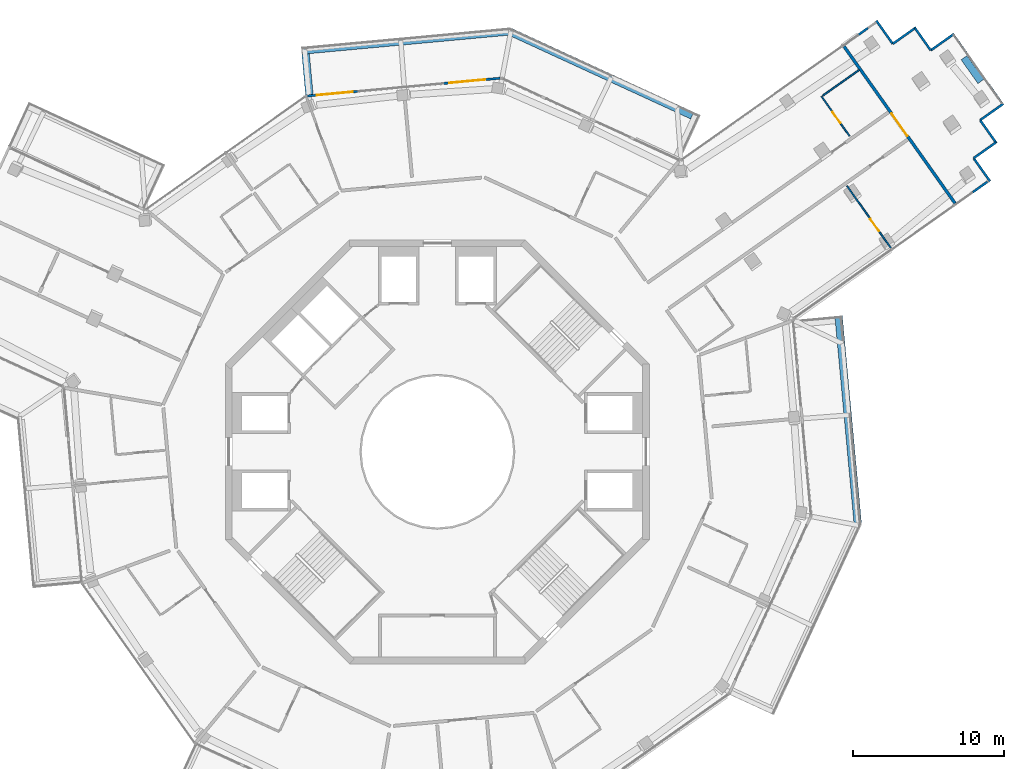
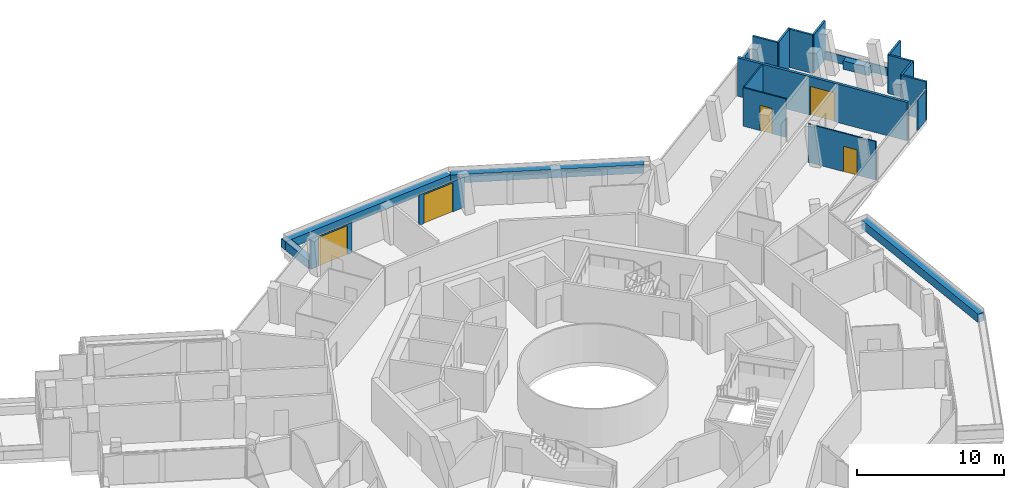
# One storey, part 22 of 25: 22 walls, 5 doors, 5 openings.
"""IFC4 building model written with IfcOpenShell, lengths in metres."""

from ifc_helpers import new_model, si_unit, direction, frame, frame_2d, origin, place, context, subcontext, project, spatial, rectangle, extrude, material, layer, layer_set, type_object, element, fill, save


model = new_model("IFC4")

# Units and contexts
model_context = context("Model", 3, precision=1e-05, world=origin(), true_north=direction((0.0, 1.0)))
body_context = subcontext(model_context, "Body", "Model", "MODEL_VIEW")
ifc_project = project(units=[si_unit("LENGTHUNIT", "METRE"), si_unit("AREAUNIT", "SQUARE_METRE"), si_unit("VOLUMEUNIT", "CUBIC_METRE"), si_unit("PLANEANGLEUNIT", "RADIAN"), si_unit("MASSUNIT", "GRAM", prefix="KILO")], contexts=[model_context])

# Site, building, storey
site_placement = place(None, origin())
site = spatial("IfcSite", under=ifc_project, at=site_placement, CompositionType="ELEMENT")
building_placement = place(site_placement, origin())
building = spatial("IfcBuilding", under=site, at=building_placement, Name="Verdalira Terraces Hotel", CompositionType="ELEMENT")
storey_placement = place(building_placement, frame((0.0, 0.0, 299.5)))
storey = spatial("IfcBuildingStorey", under=building, at=storey_placement, Name="L74", CompositionType="ELEMENT", Elevation=299.5)

# Walls
ifc_material_1 = material(Name="Concrete C40", Category="concrete")
ifc_layer_1 = layer(ifc_material_1, 0.5)
ifc_layer_set_1 = layer_set([ifc_layer_1], Name="Balcony planter trough with tree")
wall_type_1 = type_object("IfcWallType", Name="Balcony planter trough with tree", PredefinedType="SOLIDWALL", material=ifc_layer_set_1)
wall_1_placement = place(storey_placement, frame((27.757568, -4.688965, 0.0), z_axis=(0.0, 0.0, 1.0), x_axis=(-0.092027375, 0.995756477, 0.0)))
element("IfcWall", 1, at=wall_1_placement, inside=storey, type_object=wall_type_1, Name="Balcony planter", PredefinedType="SOLIDWALL", context=body_context, shape_type="SweptSolid", body=[
    extrude(rectangle(XDim=13.723633, YDim=0.5, at=frame_2d((6.861816, 0.0))), origin(), (0.0, 0.0, 1.0), 0.699951),
])
wall_2_placement = place(storey_placement, frame((16.828369, 22.205811, 0.0), z_axis=(0.0, 0.0, 1.0), x_axis=(-0.908357225, 0.418195112, 0.0)))
element("IfcWall", 2, at=wall_2_placement, inside=storey, type_object=wall_type_1, Name="Balcony planter", PredefinedType="SOLIDWALL", context=body_context, shape_type="SweptSolid", body=[
    extrude(rectangle(XDim=13.223633, YDim=0.5, at=frame_2d((6.611816, 0.0))), origin(), (0.0, 0.0, 1.0), 0.699951),
])
wall_3_placement = place(storey_placement, frame((4.688965, 27.757568, 0.0), z_axis=(0.0, 0.0, 1.0), x_axis=(-0.995756477, -0.092027375, 0.0)))
element("IfcWall", 3, at=wall_3_placement, inside=storey, type_object=wall_type_1, Name="Balcony planter", PredefinedType="SOLIDWALL", context=body_context, shape_type="SweptSolid", body=[
    extrude(rectangle(XDim=13.723633, YDim=0.5, at=frame_2d((6.861816, 0.0))), origin(), (0.0, 0.0, 1.0), 0.699951),
])
wall_4_placement = place(storey_placement, frame((-8.704346, 26.268799, 0.0), z_axis=(0.0, 0.0, 1.0), x_axis=(0.092085269, -0.995751125, 0.0)))
element("IfcWall", 4, at=wall_4_placement, inside=storey, type_object=wall_type_1, Name="Balcony planter", PredefinedType="SOLIDWALL", context=body_context, shape_type="SweptSolid", body=[
    extrude(rectangle(XDim=2.698975, YDim=0.5, at=frame_2d((1.349609, 0.0))), origin(), (0.0, 0.0, 1.0), 0.699951),
])

# Wall, opening, door
ifc_material_2 = material(Name="Moisture-resistant gypsum board partition")
ifc_layer_2 = layer(ifc_material_2, 0.10009765625)
ifc_layer_set_2 = layer_set([ifc_layer_2], Name="Bathroom partition 100 mm")
wall_type_2 = type_object("IfcWallType", Name="Bathroom partition 100 mm", PredefinedType="PARTITIONING", material=ifc_layer_set_2)
wall_5_placement = place(storey_placement, frame((25.371826, 23.463379, 0.0), z_axis=(0.0, 0.0, 1.0), x_axis=(0.57755154, -0.816354224, 0.0)))
wall_5 = element("IfcWall", 5, at=wall_5_placement, inside=storey, type_object=wall_type_2, Name="Bathroom partition", PredefinedType="PARTITIONING", context=body_context, shape_type="SweptSolid", body=[
    extrude(rectangle(XDim=3.199951, YDim=0.100098, at=frame_2d((1.600098, 0.0))), origin(), (0.0, 0.0, 1.0), 3.189941),
])
opening_1_placement = place(wall_5_placement, frame((1.25, 0.0, 0.0)))
opening_1 = element("IfcOpeningElement", 6, at=opening_1_placement, cuts=wall_5, Name="Opening L74-126", PredefinedType="OPENING", context=body_context, shape_type="SweptSolid", body=[
    extrude(rectangle(XDim=0.899902, YDim=2.100098, at=frame_2d((0.449951, 1.050049))), frame((0.0, 0.060059, 0.0), z_axis=(0.0, -1.0, 0.0), x_axis=(1.0, 0.0, 0.0)), (0.0, 0.0, 1.0), 0.120117),
])
ifc_material_3 = material(Name="Timber door", Category="wood")
door_type_1 = type_object("IfcDoorType", Name="Bathroom door 900 x 2100", OperationType="NOTDEFINED", PredefinedType="DOOR", material=ifc_material_3)
door_1_placement = place(opening_1_placement, origin())
door_1 = element("IfcDoor", 7, at=door_1_placement, inside=storey, type_object=door_type_1, Name="Bathroom door 7410", OperationType="SINGLE_SWING_LEFT", OverallHeight=2.10009765625, OverallWidth=0.89990234375, PredefinedType="DOOR", context=body_context, shape_type="SweptSolid", body=[
    extrude(rectangle(XDim=0.899902, YDim=2.100098, at=frame_2d((0.449951, 1.050049))), frame((0.0, 0.024902, 0.0), z_axis=(0.0, -1.0, 0.0), x_axis=(1.0, 0.0, 0.0)), (0.0, 0.0, 1.0), 0.050049),
])
fill(opening_1, door_1)

# Wall
wall_6_placement = place(storey_placement, frame((25.453369, 23.520996, 0.0), z_axis=(0.0, 0.0, 1.0), x_axis=(0.816323012, 0.577595654, 0.0)))
element("IfcWall", 8, at=wall_6_placement, inside=storey, type_object=wall_type_2, Name="Bathroom partition", PredefinedType="PARTITIONING", context=body_context, shape_type="SweptSolid", body=[
    extrude(rectangle(XDim=2.940186, YDim=0.100098, at=frame_2d((1.470215, 0.0))), origin(), (0.0, 0.0, 1.0), 3.189941),
])

# Wall, opening, door
wall_7_placement = place(storey_placement, frame((29.970947, 13.42627, 0.0), z_axis=(0.0, 0.0, 1.0), x_axis=(-0.577569245, 0.816341698, 0.0)))
wall_7 = element("IfcWall", 9, at=wall_7_placement, inside=storey, type_object=wall_type_2, Name="Bathroom partition", PredefinedType="PARTITIONING", context=body_context, shape_type="SweptSolid", body=[
    extrude(rectangle(XDim=5.050049, YDim=0.100098, at=frame_2d((2.524902, 0.0))), origin(), (0.0, 0.0, 1.0), 3.189941),
])
opening_2_placement = place(wall_7_placement, frame((1.399902, 0.0, 0.0)))
opening_2 = element("IfcOpeningElement", 10, at=opening_2_placement, cuts=wall_7, Name="Opening L74-123", PredefinedType="OPENING", context=body_context, shape_type="SweptSolid", body=[
    extrude(rectangle(XDim=1.0, YDim=2.100098, at=frame_2d((0.5, 1.050049))), frame((0.0, 0.060059, 0.0), z_axis=(0.0, -1.0, 0.0), x_axis=(1.0, 0.0, 0.0)), (0.0, 0.0, 1.0), 0.120117),
])
ifc_material_4 = material(Name="Timber door", Category="wood")
door_type_2 = type_object("IfcDoorType", Name="Suite internal door 1000 x 2100", OperationType="NOTDEFINED", PredefinedType="DOOR", material=ifc_material_4)
door_2_placement = place(opening_2_placement, origin())
door_2 = element("IfcDoor", 11, at=door_2_placement, inside=storey, type_object=door_type_2, Name="Suite internal door 7409", OperationType="SINGLE_SWING_LEFT", OverallHeight=2.10009765625, OverallWidth=1.0, PredefinedType="DOOR", context=body_context, shape_type="SweptSolid", body=[
    extrude(rectangle(XDim=1.0, YDim=2.100098, at=frame_2d((0.5, 1.050049))), frame((0.0, 0.024902, 0.0), z_axis=(0.0, -1.0, 0.0), x_axis=(1.0, 0.0, 0.0)), (0.0, 0.0, 1.0), 0.050049),
])
fill(opening_2, door_2)

ifc_material_5 = material(Name="Terracotta cladding", Category="masonry")
ifc_layer_3 = layer(ifc_material_5, 0.199951171875)
ifc_layer_set_3 = layer_set([ifc_layer_3], Name="Loggia back wall 200")
wall_type_3 = type_object("IfcWallType", Name="Loggia back wall 200", PredefinedType="SOLIDWALL", material=ifc_layer_set_3)
wall_8_placement = place(storey_placement, frame((26.850342, 26.775635, 0.0), z_axis=(0.0, 0.0, 1.0), x_axis=(0.577577222, -0.816336054, 0.0)))
wall_8 = element("IfcWall", 12, at=wall_8_placement, inside=storey, type_object=wall_type_3, Name="Loggia back wall", PredefinedType="SOLIDWALL", context=body_context, shape_type="SweptSolid", body=[
    extrude(rectangle(XDim=12.699951, YDim=0.199951, at=frame_2d((6.350098, 0.0))), origin(), (0.0, 0.0, 1.0), 3.189941),
])
opening_3_placement = place(wall_8_placement, frame((5.449951, 0.0, 0.0)))
opening_3 = element("IfcOpeningElement", 13, at=opening_3_placement, cuts=wall_8, Name="Opening L74-L01", PredefinedType="OPENING", context=body_context, shape_type="SweptSolid", body=[
    extrude(rectangle(XDim=1.800049, YDim=2.399902, at=frame_2d((0.899902, 1.199951))), frame((0.0, 0.109863, 0.0), z_axis=(0.0, -1.0, 0.0), x_axis=(1.0, 0.0, 0.0)), (0.0, 0.0, 1.0), 0.219971),
])
ifc_material_6 = material(Name="Clear glass", Category="glass")
door_type_3 = type_object("IfcDoorType", Name="Garden double door 1800x2400", OperationType="NOTDEFINED", PredefinedType="DOOR", material=ifc_material_6)
door_3_placement = place(opening_3_placement, origin())
door_3 = element("IfcDoor", 14, at=door_3_placement, inside=storey, type_object=door_type_3, Name="Loggia double door", OperationType="DOUBLE_DOOR_SINGLE_SWING", OverallHeight=2.39990234375, OverallWidth=1.800048828125, PredefinedType="DOOR", context=body_context, shape_type="SweptSolid", body=[
    extrude(rectangle(XDim=1.800049, YDim=2.399902, at=frame_2d((0.899902, 1.199951))), frame((0.0, 0.024902, 0.0), z_axis=(0.0, -1.0, 0.0), x_axis=(1.0, 0.0, 0.0)), (0.0, 0.0, 1.0), 0.050049),
])
fill(opening_3, door_3)

# Walls
ifc_material_7 = material(Name="Concrete C40", Category="concrete")
ifc_layer_4 = layer(ifc_material_7, 0.5)
ifc_layer_set_4 = layer_set([ifc_layer_4], Name="Loggia planter trough with tree")
wall_type_4 = type_object("IfcWallType", Name="Loggia planter trough with tree", PredefinedType="SOLIDWALL", material=ifc_layer_set_4)
wall_9_placement = place(storey_placement, frame((35.898682, 24.46167, 0.0), z_axis=(0.0, 0.0, 1.0), x_axis=(-0.577633759, 0.81629605, 0.0)))
element("IfcWall", 15, at=wall_9_placement, inside=storey, type_object=wall_type_4, Name="Loggia planter", PredefinedType="SOLIDWALL", context=body_context, shape_type="SweptSolid", body=[
    extrude(rectangle(XDim=1.925293, YDim=0.5, at=frame_2d((0.962646, 0.0))), origin(), (0.0, 0.0, 1.0), 0.699951),
])
ifc_material_8 = material(Name="Concrete C40", Category="concrete")
ifc_layer_5 = layer(ifc_material_8, 0.10009765625)
ifc_layer_set_5 = layer_set([ifc_layer_5], Name="Loggia upstand 100")
wall_type_5 = type_object("IfcWallType", Name="Loggia upstand 100", PredefinedType="SOLIDWALL", material=ifc_layer_set_5)
wall_10_placement = place(storey_placement, frame((37.290039, 23.014404, 0.0), z_axis=(0.0, 0.0, 1.0), x_axis=(-0.577575122, 0.81633754, 0.0)))
element("IfcWall", 16, at=wall_10_placement, inside=storey, type_object=wall_type_5, Name="Loggia upstand", PredefinedType="SOLIDWALL", context=body_context, shape_type="SweptSolid", body=[
    extrude(rectangle(XDim=5.500244, YDim=0.100098, at=frame_2d((2.75, 0.0))), origin(), (0.0, 0.0, 1.0), 0.699951),
])
ifc_material_9 = material(Name="Terracotta cladding", Category="masonry")
ifc_layer_6 = layer(ifc_material_9, 0.14990234375)
ifc_layer_set_6 = layer_set([ifc_layer_6], Name="Terracotta clad wall 150")
wall_type_6 = type_object("IfcWallType", Name="Terracotta clad wall 150", PredefinedType="SOLIDWALL", material=ifc_layer_set_6)
wall_11_placement = place(storey_placement, frame((36.496582, 17.859619, 0.0), z_axis=(0.0, 0.0, 1.0), x_axis=(-0.577623474, 0.816303327, 0.0)))
element("IfcWall", 17, at=wall_11_placement, inside=storey, type_object=wall_type_6, Name="Terracotta cladding wall", PredefinedType="SOLIDWALL", context=body_context, shape_type="SweptSolid", body=[
    extrude(rectangle(XDim=1.875, YDim=0.149902, at=frame_2d((0.9375, 0.0))), origin(), (0.0, 0.0, 1.0), 3.189941),
])
wall_12_placement = place(storey_placement, frame((35.413574, 19.390137, 0.0), z_axis=(0.0, 0.0, 1.0), x_axis=(0.816373528, 0.577524253, 0.0)))
element("IfcWall", 18, at=wall_12_placement, inside=storey, type_object=wall_type_6, Name="Terracotta cladding wall", PredefinedType="SOLIDWALL", context=body_context, shape_type="SweptSolid", body=[
    extrude(rectangle(XDim=1.800049, YDim=0.149902, at=frame_2d((0.899902, 0.0))), origin(), (0.0, 0.0, 1.0), 3.189941),
])
wall_13_placement = place(storey_placement, frame((36.92627, 20.368652, 0.0), z_axis=(0.0, 0.0, 1.0), x_axis=(-0.577536697, 0.816364725, 0.0)))
element("IfcWall", 19, at=wall_13_placement, inside=storey, type_object=wall_type_6, Name="Terracotta cladding wall", PredefinedType="SOLIDWALL", context=body_context, shape_type="SweptSolid", body=[
    extrude(rectangle(XDim=1.874756, YDim=0.149902, at=frame_2d((0.9375, 0.0))), origin(), (0.0, 0.0, 1.0), 3.189941),
])
wall_14_placement = place(storey_placement, frame((35.843506, 21.89917, 0.0), z_axis=(0.0, 0.0, 1.0), x_axis=(0.816303327, 0.577623474, 0.0)))
element("IfcWall", 20, at=wall_14_placement, inside=storey, type_object=wall_type_6, Name="Terracotta cladding wall", PredefinedType="SOLIDWALL", context=body_context, shape_type="SweptSolid", body=[
    extrude(rectangle(XDim=1.875, YDim=0.149902, at=frame_2d((0.9375, 0.0))), origin(), (0.0, 0.0, 1.0), 3.189941),
])
wall_15_placement = place(storey_placement, frame((34.11084, 27.594482, 0.0), z_axis=(0.0, 0.0, 1.0), x_axis=(-0.816346766, -0.577562082, 0.0)))
element("IfcWall", 21, at=wall_15_placement, inside=storey, type_object=wall_type_6, Name="Terracotta cladding wall", PredefinedType="SOLIDWALL", context=body_context, shape_type="SweptSolid", body=[
    extrude(rectangle(XDim=1.875244, YDim=0.149902, at=frame_2d((0.9375, 0.0))), origin(), (0.0, 0.0, 1.0), 3.189941),
])
wall_16_placement = place(storey_placement, frame((32.580078, 26.511475, 0.0), z_axis=(0.0, 0.0, 1.0), x_axis=(-0.577524253, 0.816373528, 0.0)))
element("IfcWall", 22, at=wall_16_placement, inside=storey, type_object=wall_type_6, Name="Terracotta cladding wall", PredefinedType="SOLIDWALL", context=body_context, shape_type="SweptSolid", body=[
    extrude(rectangle(XDim=1.800049, YDim=0.149902, at=frame_2d((0.899902, 0.0))), origin(), (0.0, 0.0, 1.0), 3.189941),
])
for number, where, z_axis, x_axis, name in (
    (23, (31.601807, 28.02417, 0.0), (0.0, 0.0, 1.0), (-0.816408153, -0.577475305, 0.0), "Terracotta cladding wall"),
    (24, (30.071045, 26.941406, 0.0), (0.0, 0.0, 1.0), (-0.577623474, 0.816303327, 0.0), "Terracotta cladding wall"),
):
    element("IfcWall", number, at=place(storey_placement, frame(where, z_axis=z_axis, x_axis=x_axis)), inside=storey, type_object=wall_type_6, Name=name, PredefinedType="SOLIDWALL", context=body_context, shape_type="SweptSolid", body=[
        extrude(rectangle(XDim=1.875, YDim=0.149902, at=frame_2d((0.9375, 0.0))), origin(), (0.0, 0.0, 1.0), 3.189941),
    ])
ifc_material_10 = material(Name="Terracotta cladding", Category="masonry")
ifc_layer_7 = layer(ifc_material_10, 0.14990234375)
ifc_layer_set_7 = layer_set([ifc_layer_7], Name="Terracotta column pier 150")
wall_type_7 = type_object("IfcWallType", Name="Terracotta column pier 150", PredefinedType="SOLIDWALL", material=ifc_layer_set_7)
wall_17_placement = place(storey_placement, frame((35.298096, 17.103516, 0.0), z_axis=(0.0, 0.0, 1.0), x_axis=(0.816413429, 0.577467846, 0.0)))
element("IfcWall", 25, at=wall_17_placement, inside=storey, type_object=wall_type_7, Name="Terracotta column pier", PredefinedType="SOLIDWALL", context=body_context, shape_type="SweptSolid", body=[
    extrude(rectangle(XDim=1.27002, YDim=0.149902, at=frame_2d((0.63501, 0.0))), origin(), (0.0, 0.0, 1.0), 2.524902),
])
wall_18_placement = place(storey_placement, frame((28.43457, 27.988281, 0.0), z_axis=(0.0, 0.0, 1.0), x_axis=(-0.816507643, -0.577334624, 0.0)))
element("IfcWall", 26, at=wall_18_placement, inside=storey, type_object=wall_type_7, Name="Terracotta column pier", PredefinedType="SOLIDWALL", context=body_context, shape_type="SweptSolid", body=[
    extrude(rectangle(XDim=0.82373, YDim=0.149902, at=frame_2d((0.411865, 0.0))), origin(), (0.0, 0.0, 1.0), 2.524902),
])

# Wall, opening, door
ifc_material_11 = material(Name="Terracotta cladding", Category="masonry")
ifc_layer_8 = layer(ifc_material_11, 0.14990234375)
ifc_layer_set_8 = layer_set([ifc_layer_8], Name="Terracotta door pier 150")
wall_type_8 = type_object("IfcWallType", Name="Terracotta door pier 150", PredefinedType="SOLIDWALL", material=ifc_layer_set_8)
wall_19_placement = place(storey_placement, frame((4.147217, 24.669678, 0.0), z_axis=(0.0, 0.0, 1.0), x_axis=(-0.995758413, -0.092006427, 0.0)))
wall_19 = element("IfcWall", 27, at=wall_19_placement, inside=storey, type_object=wall_type_8, Name="Terracotta door pier", PredefinedType="SOLIDWALL", context=body_context, shape_type="SweptSolid", body=[
    extrude(rectangle(XDim=3.786621, YDim=0.149902, at=frame_2d((1.893311, 0.0))), origin(), (0.0, 0.0, 1.0), 2.524902),
])
opening_4_placement = place(wall_19_placement, frame((0.986572, 0.0, 0.0)))
opening_4 = element("IfcOpeningElement", 28, at=opening_4_placement, cuts=wall_19, Name="Opening L74-B17", PredefinedType="OPENING", context=body_context, shape_type="SweptSolid", body=[
    extrude(rectangle(XDim=2.399902, YDim=2.399902, at=frame_2d((1.199951, 1.199951))), frame((0.0, 0.084961, 0.0), z_axis=(0.0, -1.0, 0.0), x_axis=(1.0, 0.0, 0.0)), (0.0, 0.0, 1.0), 0.169922),
])
ifc_material_12 = material(Name="Clear glass", Category="glass")
door_type_4 = type_object("IfcDoorType", Name="Balcony sliding door 2400x2400", OperationType="NOTDEFINED", PredefinedType="DOOR", material=ifc_material_12)
door_4_placement = place(opening_4_placement, origin())
door_4 = element("IfcDoor", 29, at=door_4_placement, inside=storey, type_object=door_type_4, Name="Balcony sliding door", OperationType="SLIDING_TO_LEFT", OverallHeight=2.39990234375, OverallWidth=2.39990234375, PredefinedType="DOOR", context=body_context, shape_type="SweptSolid", body=[
    extrude(rectangle(XDim=2.399902, YDim=2.399902, at=frame_2d((1.199951, 1.199951))), frame((0.0, 0.024902, 0.0), z_axis=(0.0, -1.0, 0.0), x_axis=(1.0, 0.0, 0.0)), (0.0, 0.0, 1.0), 0.050049),
])
fill(opening_4, door_4)

wall_20_placement = place(storey_placement, frame((-5.185791, 23.807129, 0.0), z_axis=(0.0, 0.0, 1.0), x_axis=(-0.995754833, -0.092045163, 0.0)))
wall_20 = element("IfcWall", 30, at=wall_20_placement, inside=storey, type_object=wall_type_8, Name="Terracotta door pier", PredefinedType="SOLIDWALL", context=body_context, shape_type="SweptSolid", body=[
    extrude(rectangle(XDim=3.427002, YDim=0.149902, at=frame_2d((1.713379, 0.0))), origin(), (0.0, 0.0, 1.0), 2.524902),
])
opening_5_placement = place(wall_20_placement, frame((0.399902, 0.0, 0.0)))
opening_5 = element("IfcOpeningElement", 31, at=opening_5_placement, cuts=wall_20, Name="Opening L74-B18", PredefinedType="OPENING", context=body_context, shape_type="SweptSolid", body=[
    extrude(rectangle(XDim=2.399902, YDim=2.399902, at=frame_2d((1.199951, 1.199951))), frame((0.0, 0.084961, 0.0), z_axis=(0.0, -1.0, 0.0), x_axis=(1.0, 0.0, 0.0)), (0.0, 0.0, 1.0), 0.169922),
])
door_5_placement = place(opening_5_placement, origin())
door_5 = element("IfcDoor", 32, at=door_5_placement, inside=storey, type_object=door_type_4, Name="Balcony sliding door", OperationType="SLIDING_TO_RIGHT", OverallHeight=2.39990234375, OverallWidth=2.39990234375, PredefinedType="DOOR", context=body_context, shape_type="SweptSolid", body=[
    extrude(rectangle(XDim=2.399902, YDim=2.399902, at=frame_2d((1.199951, 1.199951))), frame((0.0, 0.024902, 0.0), z_axis=(0.0, -1.0, 0.0), x_axis=(1.0, 0.0, 0.0)), (0.0, 0.0, 1.0), 0.050049),
])
fill(opening_5, door_5)

save(model, "model.ifc")
